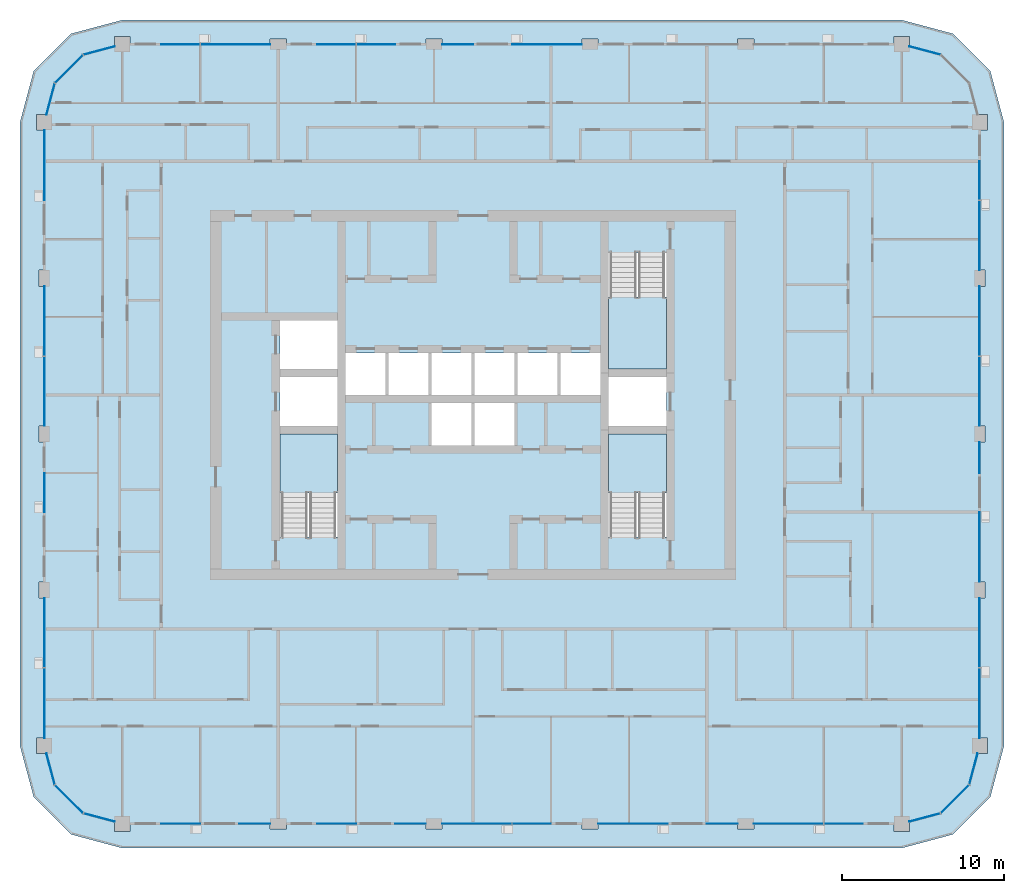
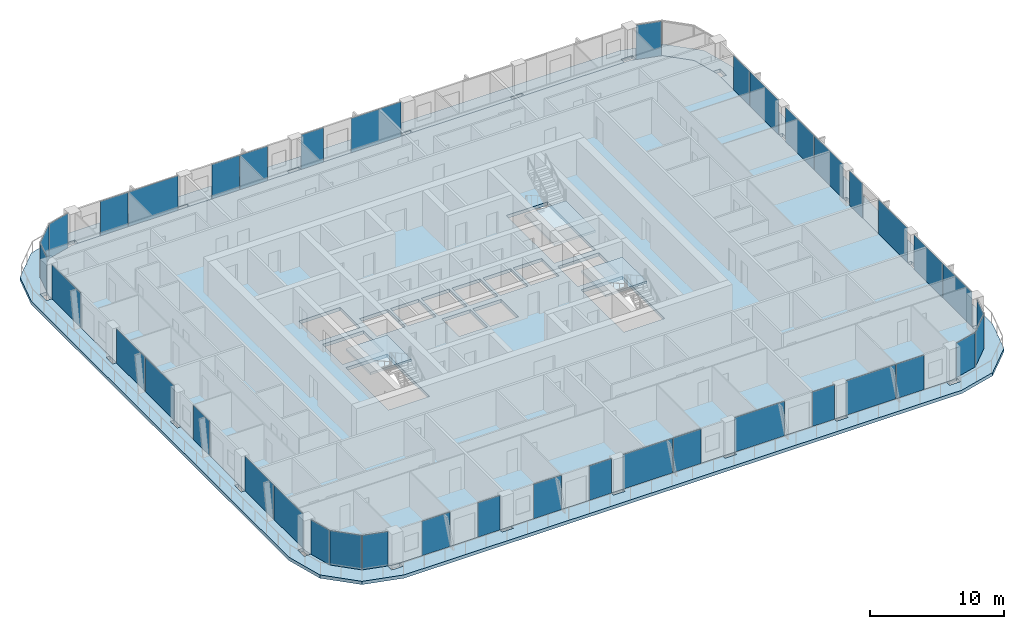
# One storey, part 7 of 22: 40 plates, 5 slabs, 23 elements without a shape of their own.
"""IFC4 building model written with IfcOpenShell, lengths in metres."""

from ifc_helpers import new_model, si_unit, direction, frame, origin, origin_2d, place, context, subcontext, project, spatial, polyline, rectangle, outline, extrude, material, layer, layer_set, type_object, element, aggregate, save


model = new_model("IFC4")

# Units and contexts
model_context = context("Model", 3, precision=1e-05, world=origin(), true_north=direction((0.0, 1.0)))
body_context = subcontext(model_context, "Body", "Model", "MODEL_VIEW")
ifc_project = project(units=[si_unit("LENGTHUNIT", "METRE"), si_unit("AREAUNIT", "SQUARE_METRE"), si_unit("VOLUMEUNIT", "CUBIC_METRE"), si_unit("PLANEANGLEUNIT", "RADIAN"), si_unit("MASSUNIT", "GRAM", prefix="KILO")], contexts=[model_context])

# Site, building, storey
site_placement = place(None, origin())
site = spatial("IfcSite", under=ifc_project, at=site_placement, CompositionType="ELEMENT")
building_placement = place(site_placement, origin())
building = spatial("IfcBuilding", under=site, at=building_placement, Name="Madar Terraces", CompositionType="ELEMENT")
storey_placement = place(building_placement, frame((0.0, 0.0, 189.39990234375)))
storey = spatial("IfcBuildingStorey", under=building, at=storey_placement, Name="L49", CompositionType="ELEMENT", Elevation=189.39990234375)

# Slabs
ifc_material_1 = material(Name="Concrete C50/60", Category="concrete")
ifc_layer_1 = layer(ifc_material_1, 0.300048828125)
ifc_layer_set_1 = layer_set([ifc_layer_1], Name="Balcony band 300")
slab_type_1 = type_object("IfcSlabType", Name="Balcony band 300", PredefinedType="FLOOR", material=ifc_layer_set_1)
slab_1_placement = place(storey_placement, frame((0.0, 0.0, -0.2998046875)))
element("IfcSlab", 1, at=slab_1_placement, inside=storey, type_object=slab_type_1, Name="Balcony band", PredefinedType="FLOOR", context=body_context, shape_type="SweptSolid", body=[
    extrude(outline(polyline([(9.60009765625, -1.5), (6.449951171875, -0.656005859375), (4.14404296875, 1.64990234375), (3.300048828125, 4.800048828125), (3.300048828125, 43.199951171875), (4.14404296875, 46.35009765625), (6.449951171875, 48.656005859375), (9.60009765625, 49.5), (57.60009765625, 49.5), (60.75, 48.656005859375), (63.055908203125, 46.35009765625), (63.89990234375, 43.199951171875), (63.89990234375, 4.800048828125), (63.055908203125, 1.64990234375), (60.75, -0.656005859375), (57.60009765625, -1.5), (9.60009765625, -1.5)]), holes=[polyline([(10.074951171875, -0.47509765625), (10.074951171875, 0.0), (18.699951171875, 0.0), (18.699951171875, -0.324951171875), (19.699951171875, -0.324951171875), (19.699951171875, 0.0), (28.300048828125, 0.0), (28.300048828125, -0.324951171875), (29.300048828125, -0.324951171875), (29.300048828125, 0.0), (37.89990234375, 0.0), (37.89990234375, -0.324951171875), (38.89990234375, -0.324951171875), (38.89990234375, 0.0), (47.5, 0.0), (47.5, -0.324951171875), (48.5, -0.324951171875), (48.5, 0.0), (57.125, 0.0), (57.125, -0.47509765625), (58.074951171875, -0.47509765625), (58.074951171875, 0.127197265625), (60.0, 0.64306640625), (61.7568359375, 2.39990234375), (62.272705078125, 4.324951171875), (62.875, 4.324951171875), (62.875, 5.27490234375), (62.39990234375, 5.27490234375), (62.39990234375, 13.89990234375), (62.72509765625, 13.89990234375), (62.72509765625, 14.89990234375), (62.39990234375, 14.89990234375), (62.39990234375, 23.5), (62.72509765625, 23.5), (62.72509765625, 24.5), (62.39990234375, 24.5), (62.39990234375, 33.10009765625), (62.72509765625, 33.10009765625), (62.72509765625, 34.10009765625), (62.39990234375, 34.10009765625), (62.39990234375, 42.72509765625), (62.875, 42.72509765625), (62.875, 43.675048828125), (62.272705078125, 43.675048828125), (61.7568359375, 45.60009765625), (60.0, 47.35693359375), (58.074951171875, 47.872802734375), (58.074951171875, 48.47509765625), (57.125, 48.47509765625), (57.125, 48.0), (48.5, 48.0), (48.5, 48.324951171875), (47.5, 48.324951171875), (47.5, 48.0), (38.89990234375, 48.0), (38.89990234375, 48.324951171875), (37.89990234375, 48.324951171875), (37.89990234375, 48.0), (29.300048828125, 48.0), (29.300048828125, 48.324951171875), (28.300048828125, 48.324951171875), (28.300048828125, 48.0), (19.699951171875, 48.0), (19.699951171875, 48.324951171875), (18.699951171875, 48.324951171875), (18.699951171875, 48.0), (10.074951171875, 48.0), (10.074951171875, 48.47509765625), (9.125, 48.47509765625), (9.125, 47.872802734375), (7.199951171875, 47.35693359375), (5.443115234375, 45.60009765625), (4.92724609375, 43.675048828125), (4.324951171875, 43.675048828125), (4.324951171875, 42.72509765625), (4.800048828125, 42.72509765625), (4.800048828125, 34.10009765625), (4.47509765625, 34.10009765625), (4.47509765625, 33.10009765625), (4.800048828125, 33.10009765625), (4.800048828125, 24.5), (4.47509765625, 24.5), (4.47509765625, 23.5), (4.800048828125, 23.5), (4.800048828125, 14.89990234375), (4.47509765625, 14.89990234375), (4.47509765625, 13.89990234375), (4.800048828125, 13.89990234375), (4.800048828125, 5.27490234375), (4.324951171875, 5.27490234375), (4.324951171875, 4.324951171875), (4.92724609375, 4.324951171875), (5.443115234375, 2.39990234375), (7.199951171875, 0.64306640625), (9.125, 0.127197265625), (9.125, -0.47509765625), (10.074951171875, -0.47509765625)])]), origin(), (0.0, 0.0, 1.0), 0.2998046875),
])
ifc_material_2 = material(Name="Concrete C50/60", Category="concrete")
ifc_layer_2 = layer(ifc_material_2, 0.300048828125)
ifc_layer_set_2 = layer_set([ifc_layer_2], Name="FS2 PT flat slab 300")
slab_type_2 = type_object("IfcSlabType", Name="FS2 PT flat slab 300", PredefinedType="FLOOR", material=ifc_layer_set_2)
slab_2_placement = place(storey_placement, frame((0.0, 0.0, -0.2998046875)))
element("IfcSlab", 2, at=slab_2_placement, inside=storey, type_object=slab_type_2, Name="Floor slab L49 (1)", PredefinedType="FLOOR", context=body_context, shape_type="SweptSolid", body=[
    extrude(outline(polyline([(57.60009765625, 0.0), (60.0, 0.64306640625), (61.7568359375, 2.39990234375), (62.39990234375, 4.800048828125), (62.39990234375, 43.199951171875), (61.7568359375, 45.60009765625), (60.0, 47.35693359375), (57.60009765625, 48.0), (9.60009765625, 48.0), (7.199951171875, 47.35693359375), (5.443115234375, 45.60009765625), (4.800048828125, 43.199951171875), (4.800048828125, 4.800048828125), (5.443115234375, 2.39990234375), (7.199951171875, 0.64306640625), (9.60009765625, 0.0), (57.60009765625, 0.0)]), holes=[polyline([(22.85009765625, 17.64990234375), (19.300048828125, 17.64990234375), (19.300048828125, 24.0), (22.85009765625, 24.0), (22.85009765625, 17.64990234375)]), polyline([(28.64990234375, 23.300048828125), (28.64990234375, 25.89990234375), (31.10009765625, 25.89990234375), (31.10009765625, 23.300048828125), (28.64990234375, 23.300048828125)]), polyline([(19.300048828125, 24.5), (19.300048828125, 27.5), (22.85009765625, 27.5), (22.85009765625, 24.5), (19.300048828125, 24.5)]), polyline([(23.35009765625, 26.39990234375), (23.35009765625, 29.0), (25.800048828125, 29.0), (25.800048828125, 26.39990234375), (23.35009765625, 26.39990234375)]), polyline([(26.0, 26.39990234375), (26.0, 29.0), (28.449951171875, 29.0), (28.449951171875, 26.39990234375), (26.0, 26.39990234375)]), polyline([(28.64990234375, 26.39990234375), (28.64990234375, 29.0), (31.10009765625, 29.0), (31.10009765625, 26.39990234375), (28.64990234375, 26.39990234375)]), polyline([(19.300048828125, 28.0), (19.300048828125, 31.0), (22.85009765625, 31.0), (22.85009765625, 28.0), (19.300048828125, 28.0)]), polyline([(43.10009765625, 17.64990234375), (39.550048828125, 17.64990234375), (39.550048828125, 24.0), (43.10009765625, 24.0), (43.10009765625, 17.64990234375)]), polyline([(31.300048828125, 23.300048828125), (31.300048828125, 25.89990234375), (33.75, 25.89990234375), (33.75, 23.300048828125), (31.300048828125, 23.300048828125)]), polyline([(39.550048828125, 24.5), (39.550048828125, 27.5), (43.10009765625, 27.5), (43.10009765625, 24.5), (39.550048828125, 24.5)]), polyline([(31.300048828125, 26.39990234375), (31.300048828125, 29.0), (33.75, 29.0), (33.75, 26.39990234375), (31.300048828125, 26.39990234375)]), polyline([(33.949951171875, 26.39990234375), (33.949951171875, 29.0), (36.39990234375, 29.0), (36.39990234375, 26.39990234375), (33.949951171875, 26.39990234375)]), polyline([(36.60009765625, 26.39990234375), (36.60009765625, 29.0), (39.050048828125, 29.0), (39.050048828125, 26.39990234375), (36.60009765625, 26.39990234375)]), polyline([(39.550048828125, 28.0), (39.550048828125, 35.14990234375), (43.10009765625, 35.14990234375), (43.10009765625, 28.0), (39.550048828125, 28.0)])]), origin(), (0.0, 0.0, 1.0), 0.2998046875),
])

# Curtain wall, plates
ifc_material_3 = material(Name="Glass, ceramic frit dark grey, with black aluminium frame", Category="aluminium")
ifc_layer_3 = layer(ifc_material_3, 0.199951171875)
ifc_layer_set_3 = layer_set([ifc_layer_3], Name="Facade curtain wall, fritted glass")
curtain_wall_type = type_object("IfcCurtainWallType", Name="Facade curtain wall, fritted glass", PredefinedType="NOTDEFINED", material=ifc_layer_set_3)
curtain_wall_1_placement = place(storey_placement, origin())
curtain_wall_1 = element("IfcCurtainWall", 3, at=curtain_wall_1_placement, inside=storey, type_object=curtain_wall_type, Name="Outer skin curtain wall south bay 1", PredefinedType="NOTDEFINED")
ifc_material_4 = material(Name="Glass, ceramic frit dark grey", Category="glass")
ifc_layer_4 = layer(ifc_material_4, 0.028076171875)
ifc_layer_set_4 = layer_set([ifc_layer_4], Name="Facade glass panel 28")
plate_type = type_object("IfcPlateType", Name="Facade glass panel 28", PredefinedType="CURTAIN_PANEL", material=ifc_layer_set_4)
plate_1_placement = place(storey_placement, frame((13.199951171875, 0.0, 0.0), z_axis=(0.0, 0.0, 1.0), x_axis=(1.0, 0.0, 0.0)))
plate_1 = element("IfcPlate", 4, at=plate_1_placement, type_object=plate_type, Name="Panel 1", PredefinedType="CURTAIN_PANEL", context=body_context, shape_type="SweptSolid", body=[
    extrude(rectangle(XDim=2.39990234375, YDim=0.028076171875, at=origin_2d()), origin(), (0.0, 0.0, 1.0), 3.139892578125),
])
plate_2_placement = place(storey_placement, frame((17.75, 0.0, 0.0), z_axis=(0.0, 0.0, 1.0), x_axis=(1.0, 0.0, 0.0)))
plate_2 = element("IfcPlate", 5, at=plate_2_placement, type_object=plate_type, Name="Panel 2", PredefinedType="CURTAIN_PANEL", context=body_context, shape_type="SweptSolid", body=[
    extrude(rectangle(XDim=1.89990234375, YDim=0.028076171875, at=origin_2d()), origin(), (0.0, 0.0, 1.0), 3.139892578125),
])
aggregate(curtain_wall_1, [plate_1, plate_2])

curtain_wall_2_placement = place(storey_placement, origin())
curtain_wall_2 = element("IfcCurtainWall", 6, at=curtain_wall_2_placement, inside=storey, type_object=curtain_wall_type, Name="Outer skin curtain wall south bay 2", PredefinedType="NOTDEFINED")
plate_3_placement = place(storey_placement, frame((22.800048828125, 0.0, 0.0), z_axis=(0.0, 0.0, 1.0), x_axis=(1.0, 0.0, 0.0)))
plate_3 = element("IfcPlate", 7, at=plate_3_placement, type_object=plate_type, Name="Panel 1", PredefinedType="CURTAIN_PANEL", context=body_context, shape_type="SweptSolid", body=[
    extrude(rectangle(XDim=2.39990234375, YDim=0.028076171875, at=origin_2d()), origin(), (0.0, 0.0, 1.0), 3.139892578125),
])
plate_4_placement = place(storey_placement, frame((27.35009765625, 0.0, 0.0), z_axis=(0.0, 0.0, 1.0), x_axis=(1.0, 0.0, 0.0)))
plate_4 = element("IfcPlate", 8, at=plate_4_placement, type_object=plate_type, Name="Panel 2", PredefinedType="CURTAIN_PANEL", context=body_context, shape_type="SweptSolid", body=[
    extrude(rectangle(XDim=1.89990234375, YDim=0.028076171875, at=origin_2d()), origin(), (0.0, 0.0, 1.0), 3.139892578125),
])
aggregate(curtain_wall_2, [plate_3, plate_4])

curtain_wall_3_placement = place(storey_placement, origin())
curtain_wall_3 = element("IfcCurtainWall", 9, at=curtain_wall_3_placement, inside=storey, type_object=curtain_wall_type, Name="Outer skin curtain wall south bay 3", PredefinedType="NOTDEFINED")
plate_5_placement = place(storey_placement, frame((31.43505859375, 0.0, 0.0), z_axis=(0.0, 0.0, 1.0), x_axis=(1.0, 0.0, 0.0)))
plate_5 = element("IfcPlate", 10, at=plate_5_placement, type_object=plate_type, Name="Panel 1", PredefinedType="CURTAIN_PANEL", context=body_context, shape_type="SweptSolid", body=[
    extrude(rectangle(XDim=4.27001953125, YDim=0.028076171875, at=origin_2d()), origin(), (0.0, 0.0, 1.0), 3.139892578125),
])
plate_6_placement = place(storey_placement, frame((34.81494140625, 0.0, 0.0), z_axis=(0.0, 0.0, 1.0), x_axis=(1.0, 0.0, 0.0)))
plate_6 = element("IfcPlate", 11, at=plate_6_placement, type_object=plate_type, Name="Panel 2", PredefinedType="CURTAIN_PANEL", context=body_context, shape_type="SweptSolid", body=[
    extrude(rectangle(XDim=2.3701171875, YDim=0.028076171875, at=origin_2d()), origin(), (0.0, 0.0, 1.0), 3.139892578125),
])
aggregate(curtain_wall_3, [plate_5, plate_6])

curtain_wall_4_placement = place(storey_placement, origin())
curtain_wall_4 = element("IfcCurtainWall", 12, at=curtain_wall_4_placement, inside=storey, type_object=curtain_wall_type, Name="Outer skin curtain wall south bay 4", PredefinedType="NOTDEFINED")
plate_7_placement = place(storey_placement, frame((41.050048828125, 0.0, 0.0), z_axis=(0.0, 0.0, 1.0), x_axis=(1.0, 0.0, 0.0)))
plate_7 = element("IfcPlate", 13, at=plate_7_placement, type_object=plate_type, Name="Panel 1", PredefinedType="CURTAIN_PANEL", context=body_context, shape_type="SweptSolid", body=[
    extrude(rectangle(XDim=4.300048828125, YDim=0.028076171875, at=origin_2d()), origin(), (0.0, 0.0, 1.0), 3.139892578125),
])
plate_8_placement = place(storey_placement, frame((46.550048828125, 0.0, 0.0), z_axis=(0.0, 0.0, 1.0), x_axis=(1.0, 0.0, 0.0)))
plate_8 = element("IfcPlate", 14, at=plate_8_placement, type_object=plate_type, Name="Panel 2", PredefinedType="CURTAIN_PANEL", context=body_context, shape_type="SweptSolid", body=[
    extrude(rectangle(XDim=1.89990234375, YDim=0.028076171875, at=origin_2d()), origin(), (0.0, 0.0, 1.0), 3.139892578125),
])
aggregate(curtain_wall_4, [plate_7, plate_8])

curtain_wall_5_placement = place(storey_placement, origin())
curtain_wall_5 = element("IfcCurtainWall", 15, at=curtain_wall_5_placement, inside=storey, type_object=curtain_wall_type, Name="Outer skin curtain wall south bay 5", PredefinedType="NOTDEFINED")
plate_9_placement = place(storey_placement, frame((50.635009765625, 0.0, 0.0), z_axis=(0.0, 0.0, 1.0), x_axis=(1.0, 0.0, 0.0)))
plate_9 = element("IfcPlate", 16, at=plate_9_placement, type_object=plate_type, Name="Panel 1", PredefinedType="CURTAIN_PANEL", context=body_context, shape_type="SweptSolid", body=[
    extrude(rectangle(XDim=4.27001953125, YDim=0.028076171875, at=origin_2d()), origin(), (0.0, 0.0, 1.0), 3.139892578125),
])
plate_10_placement = place(storey_placement, frame((54.014892578125, 0.0, 0.0), z_axis=(0.0, 0.0, 1.0), x_axis=(1.0, 0.0, 0.0)))
plate_10 = element("IfcPlate", 17, at=plate_10_placement, type_object=plate_type, Name="Panel 2", PredefinedType="CURTAIN_PANEL", context=body_context, shape_type="SweptSolid", body=[
    extrude(rectangle(XDim=2.3701171875, YDim=0.028076171875, at=origin_2d()), origin(), (0.0, 0.0, 1.0), 3.139892578125),
])
aggregate(curtain_wall_5, [plate_9, plate_10])

curtain_wall_6_placement = place(storey_placement, origin())
curtain_wall_6 = element("IfcCurtainWall", 18, at=curtain_wall_6_placement, inside=storey, type_object=curtain_wall_type, Name="Outer skin curtain wall east bay 1", PredefinedType="NOTDEFINED")
plate_11_placement = place(storey_placement, frame((62.39990234375, 7.422607421875, 0.0), z_axis=(0.0, 0.0, 1.0), x_axis=(0.0, 1.0, 0.0)))
plate_11 = element("IfcPlate", 19, at=plate_11_placement, type_object=plate_type, Name="Panel 1", PredefinedType="CURTAIN_PANEL", context=body_context, shape_type="SweptSolid", body=[
    extrude(rectangle(XDim=4.294921875, YDim=0.028076171875, at=origin_2d()), origin(), (0.0, 0.0, 1.0), 3.139892578125),
])
plate_12_placement = place(storey_placement, frame((62.39990234375, 11.764892578125, 0.0), z_axis=(0.0, 0.0, 1.0), x_axis=(0.0, 1.0, 0.0)))
plate_12 = element("IfcPlate", 20, at=plate_12_placement, type_object=plate_type, Name="Panel 2", PredefinedType="CURTAIN_PANEL", context=body_context, shape_type="SweptSolid", body=[
    extrude(rectangle(XDim=4.27001953125, YDim=0.028076171875, at=origin_2d()), origin(), (0.0, 0.0, 1.0), 3.139892578125),
])
aggregate(curtain_wall_6, [plate_11, plate_12])

curtain_wall_7_placement = place(storey_placement, origin())
curtain_wall_7 = element("IfcCurtainWall", 21, at=curtain_wall_7_placement, inside=storey, type_object=curtain_wall_type, Name="Outer skin curtain wall east bay 2", PredefinedType="NOTDEFINED")
plate_13_placement = place(storey_placement, frame((62.39990234375, 17.050048828125, 0.0), z_axis=(0.0, 0.0, 1.0), x_axis=(0.0, 1.0, 0.0)))
plate_13 = element("IfcPlate", 22, at=plate_13_placement, type_object=plate_type, Name="Panel 1", PredefinedType="CURTAIN_PANEL", context=body_context, shape_type="SweptSolid", body=[
    extrude(rectangle(XDim=4.300048828125, YDim=0.028076171875, at=origin_2d()), origin(), (0.0, 0.0, 1.0), 3.139892578125),
])
plate_14_placement = place(storey_placement, frame((62.39990234375, 22.550048828125, 0.0), z_axis=(0.0, 0.0, 1.0), x_axis=(0.0, 1.0, 0.0)))
plate_14 = element("IfcPlate", 23, at=plate_14_placement, type_object=plate_type, Name="Panel 2", PredefinedType="CURTAIN_PANEL", context=body_context, shape_type="SweptSolid", body=[
    extrude(rectangle(XDim=1.89990234375, YDim=0.028076171875, at=origin_2d()), origin(), (0.0, 0.0, 1.0), 3.139892578125),
])
aggregate(curtain_wall_7, [plate_13, plate_14])

curtain_wall_8_placement = place(storey_placement, origin())
curtain_wall_8 = element("IfcCurtainWall", 24, at=curtain_wall_8_placement, inside=storey, type_object=curtain_wall_type, Name="Outer skin curtain wall east bay 3", PredefinedType="NOTDEFINED")
plate_15_placement = place(storey_placement, frame((62.39990234375, 26.635009765625, 0.0), z_axis=(0.0, 0.0, 1.0), x_axis=(0.0, 1.0, 0.0)))
plate_15 = element("IfcPlate", 25, at=plate_15_placement, type_object=plate_type, Name="Panel 1", PredefinedType="CURTAIN_PANEL", context=body_context, shape_type="SweptSolid", body=[
    extrude(rectangle(XDim=4.27001953125, YDim=0.028076171875, at=origin_2d()), origin(), (0.0, 0.0, 1.0), 3.139892578125),
])
plate_16_placement = place(storey_placement, frame((62.39990234375, 30.965087890625, 0.0), z_axis=(0.0, 0.0, 1.0), x_axis=(0.0, 1.0, 0.0)))
plate_16 = element("IfcPlate", 26, at=plate_16_placement, type_object=plate_type, Name="Panel 2", PredefinedType="CURTAIN_PANEL", context=body_context, shape_type="SweptSolid", body=[
    extrude(rectangle(XDim=4.27001953125, YDim=0.028076171875, at=origin_2d()), origin(), (0.0, 0.0, 1.0), 3.139892578125),
])
aggregate(curtain_wall_8, [plate_15, plate_16])

curtain_wall_9_placement = place(storey_placement, origin())
curtain_wall_9 = element("IfcCurtainWall", 27, at=curtain_wall_9_placement, inside=storey, type_object=curtain_wall_type, Name="Outer skin curtain wall east bay 4", PredefinedType="NOTDEFINED")
plate_17_placement = place(storey_placement, frame((62.39990234375, 36.235107421875, 0.0), z_axis=(0.0, 0.0, 1.0), x_axis=(0.0, 1.0, 0.0)))
plate_17 = element("IfcPlate", 28, at=plate_17_placement, type_object=plate_type, Name="Panel 1", PredefinedType="CURTAIN_PANEL", context=body_context, shape_type="SweptSolid", body=[
    extrude(rectangle(XDim=4.27001953125, YDim=0.028076171875, at=origin_2d()), origin(), (0.0, 0.0, 1.0), 3.139892578125),
])
plate_18_placement = place(storey_placement, frame((62.39990234375, 39.614990234375, 0.0), z_axis=(0.0, 0.0, 1.0), x_axis=(0.0, 1.0, 0.0)))
plate_18 = element("IfcPlate", 29, at=plate_18_placement, type_object=plate_type, Name="Panel 2", PredefinedType="CURTAIN_PANEL", context=body_context, shape_type="SweptSolid", body=[
    extrude(rectangle(XDim=2.3701171875, YDim=0.028076171875, at=origin_2d()), origin(), (0.0, 0.0, 1.0), 3.139892578125),
])
aggregate(curtain_wall_9, [plate_17, plate_18])

curtain_wall_10_placement = place(storey_placement, origin())
curtain_wall_10 = element("IfcCurtainWall", 30, at=curtain_wall_10_placement, inside=storey, type_object=curtain_wall_type, Name="Outer skin curtain wall north bay 3", PredefinedType="NOTDEFINED")
plate_19_placement = place(storey_placement, frame((35.75, 48.0, 0.0), z_axis=(0.0, 0.0, 1.0), x_axis=(-1.0, 0.0, 0.0)))
plate_19 = element("IfcPlate", 31, at=plate_19_placement, type_object=plate_type, Name="Panel 1", PredefinedType="CURTAIN_PANEL", context=body_context, shape_type="SweptSolid", body=[
    extrude(rectangle(XDim=4.300048828125, YDim=0.028076171875, at=origin_2d()), origin(), (0.0, 0.0, 1.0), 3.139892578125),
])
plate_20_placement = place(storey_placement, frame((30.25, 48.0, 0.0), z_axis=(0.0, 0.0, 1.0), x_axis=(-1.0, 0.0, 0.0)))
plate_20 = element("IfcPlate", 32, at=plate_20_placement, type_object=plate_type, Name="Panel 2", PredefinedType="CURTAIN_PANEL", context=body_context, shape_type="SweptSolid", body=[
    extrude(rectangle(XDim=1.89990234375, YDim=0.028076171875, at=origin_2d()), origin(), (0.0, 0.0, 1.0), 3.139892578125),
])
aggregate(curtain_wall_10, [plate_19, plate_20])

curtain_wall_11_placement = place(storey_placement, origin())
curtain_wall_11 = element("IfcCurtainWall", 33, at=curtain_wall_11_placement, inside=storey, type_object=curtain_wall_type, Name="Outer skin curtain wall north bay 4", PredefinedType="NOTDEFINED")
plate_21_placement = place(storey_placement, frame((25.215087890625, 48.0, 0.0), z_axis=(0.0, 0.0, 1.0), x_axis=(-1.0, 0.0, 0.0)))
plate_21 = element("IfcPlate", 34, at=plate_21_placement, type_object=plate_type, Name="Panel 1", PredefinedType="CURTAIN_PANEL", context=body_context, shape_type="SweptSolid", body=[
    extrude(rectangle(XDim=2.3701171875, YDim=0.028076171875, at=origin_2d()), origin(), (0.0, 0.0, 1.0), 3.139892578125),
])
plate_22_placement = place(storey_placement, frame((22.784912109375, 48.0, 0.0), z_axis=(0.0, 0.0, 1.0), x_axis=(-1.0, 0.0, 0.0)))
plate_22 = element("IfcPlate", 35, at=plate_22_placement, type_object=plate_type, Name="Panel 2", PredefinedType="CURTAIN_PANEL", context=body_context, shape_type="SweptSolid", body=[
    extrude(rectangle(XDim=2.3701171875, YDim=0.028076171875, at=origin_2d()), origin(), (0.0, 0.0, 1.0), 3.139892578125),
])
aggregate(curtain_wall_11, [plate_21, plate_22])

curtain_wall_12_placement = place(storey_placement, origin())
curtain_wall_12 = element("IfcCurtainWall", 36, at=curtain_wall_12_placement, inside=storey, type_object=curtain_wall_type, Name="Outer skin curtain wall north bay 5", PredefinedType="NOTDEFINED")
plate_23_placement = place(storey_placement, frame((16.56494140625, 48.0, 0.0), z_axis=(0.0, 0.0, 1.0), x_axis=(-1.0, 0.0, 0.0)))
plate_23 = element("IfcPlate", 37, at=plate_23_placement, type_object=plate_type, Name="Panel 1", PredefinedType="CURTAIN_PANEL", context=body_context, shape_type="SweptSolid", body=[
    extrude(rectangle(XDim=4.27001953125, YDim=0.028076171875, at=origin_2d()), origin(), (0.0, 0.0, 1.0), 3.139892578125),
])
plate_24_placement = place(storey_placement, frame((13.18505859375, 48.0, 0.0), z_axis=(0.0, 0.0, 1.0), x_axis=(-1.0, 0.0, 0.0)))
plate_24 = element("IfcPlate", 38, at=plate_24_placement, type_object=plate_type, Name="Panel 2", PredefinedType="CURTAIN_PANEL", context=body_context, shape_type="SweptSolid", body=[
    extrude(rectangle(XDim=2.3701171875, YDim=0.028076171875, at=origin_2d()), origin(), (0.0, 0.0, 1.0), 3.139892578125),
])
aggregate(curtain_wall_12, [plate_23, plate_24])

# Curtain wall, plate
curtain_wall_13_placement = place(storey_placement, origin())
curtain_wall_13 = element("IfcCurtainWall", 39, at=curtain_wall_13_placement, inside=storey, type_object=curtain_wall_type, Name="Outer skin curtain wall west bay 1", PredefinedType="NOTDEFINED")
plate_25_placement = place(storey_placement, frame((4.800048828125, 40.5625, 0.0), z_axis=(0.0, 0.0, 1.0), x_axis=(0.0, -1.0, 0.0)))
plate_25 = element("IfcPlate", 40, at=plate_25_placement, type_object=plate_type, Name="Panel 1", PredefinedType="CURTAIN_PANEL", context=body_context, shape_type="SweptSolid", body=[
    extrude(rectangle(XDim=4.324951171875, YDim=0.028076171875, at=origin_2d()), origin(), (0.0, 0.0, 1.0), 3.139892578125),
])
aggregate(curtain_wall_13, [plate_25])

# Curtain wall, plates
curtain_wall_14_placement = place(storey_placement, origin())
curtain_wall_14 = element("IfcCurtainWall", 41, at=curtain_wall_14_placement, inside=storey, type_object=curtain_wall_type, Name="Outer skin curtain wall west bay 2", PredefinedType="NOTDEFINED")
plate_26_placement = place(storey_placement, frame((4.800048828125, 30.965087890625, 0.0), z_axis=(0.0, 0.0, 1.0), x_axis=(0.0, -1.0, 0.0)))
plate_26 = element("IfcPlate", 42, at=plate_26_placement, type_object=plate_type, Name="Panel 1", PredefinedType="CURTAIN_PANEL", context=body_context, shape_type="SweptSolid", body=[
    extrude(rectangle(XDim=4.27001953125, YDim=0.028076171875, at=origin_2d()), origin(), (0.0, 0.0, 1.0), 3.139892578125),
])
plate_27_placement = place(storey_placement, frame((4.800048828125, 26.635009765625, 0.0), z_axis=(0.0, 0.0, 1.0), x_axis=(0.0, -1.0, 0.0)))
plate_27 = element("IfcPlate", 43, at=plate_27_placement, type_object=plate_type, Name="Panel 2", PredefinedType="CURTAIN_PANEL", context=body_context, shape_type="SweptSolid", body=[
    extrude(rectangle(XDim=4.27001953125, YDim=0.028076171875, at=origin_2d()), origin(), (0.0, 0.0, 1.0), 3.139892578125),
])
aggregate(curtain_wall_14, [plate_26, plate_27])

# Curtain wall, plate
curtain_wall_15_placement = place(storey_placement, origin())
curtain_wall_15 = element("IfcCurtainWall", 44, at=curtain_wall_15_placement, inside=storey, type_object=curtain_wall_type, Name="Outer skin curtain wall west bay 3", PredefinedType="NOTDEFINED")
plate_28_placement = place(storey_placement, frame((4.800048828125, 20.39990234375, 0.0), z_axis=(0.0, 0.0, 1.0), x_axis=(0.0, -1.0, 0.0)))
plate_28 = element("IfcPlate", 45, at=plate_28_placement, type_object=plate_type, Name="Panel 1", PredefinedType="CURTAIN_PANEL", context=body_context, shape_type="SweptSolid", body=[
    extrude(rectangle(XDim=2.39990234375, YDim=0.028076171875, at=origin_2d()), origin(), (0.0, 0.0, 1.0), 3.139892578125),
])
aggregate(curtain_wall_15, [plate_28])

# Curtain wall, plates
curtain_wall_16_placement = place(storey_placement, origin())
curtain_wall_16 = element("IfcCurtainWall", 46, at=curtain_wall_16_placement, inside=storey, type_object=curtain_wall_type, Name="Outer skin curtain wall west bay 4", PredefinedType="NOTDEFINED")
plate_29_placement = place(storey_placement, frame((4.800048828125, 11.764892578125, 0.0), z_axis=(0.0, 0.0, 1.0), x_axis=(0.0, -1.0, 0.0)))
plate_29 = element("IfcPlate", 47, at=plate_29_placement, type_object=plate_type, Name="Panel 1", PredefinedType="CURTAIN_PANEL", context=body_context, shape_type="SweptSolid", body=[
    extrude(rectangle(XDim=4.27001953125, YDim=0.028076171875, at=origin_2d()), origin(), (0.0, 0.0, 1.0), 3.139892578125),
])
plate_30_placement = place(storey_placement, frame((4.800048828125, 7.422607421875, 0.0), z_axis=(0.0, 0.0, 1.0), x_axis=(0.0, -1.0, 0.0)))
plate_30 = element("IfcPlate", 48, at=plate_30_placement, type_object=plate_type, Name="Panel 2", PredefinedType="CURTAIN_PANEL", context=body_context, shape_type="SweptSolid", body=[
    extrude(rectangle(XDim=4.294921875, YDim=0.028076171875, at=origin_2d()), origin(), (0.0, 0.0, 1.0), 3.139892578125),
])
aggregate(curtain_wall_16, [plate_29, plate_30])

curtain_wall_17_placement = place(storey_placement, origin())
curtain_wall_17 = element("IfcCurtainWall", 49, at=curtain_wall_17_placement, inside=storey, type_object=curtain_wall_type, Name="Outer skin curtain wall south-east corner", PredefinedType="NOTDEFINED")
plate_31_placement = place(storey_placement, frame((59.02294921875, 0.38134765625, 0.0), z_axis=(0.0, 0.0, 1.0), x_axis=(0.965925832509, 0.258819021888, 0.0)))
plate_31 = element("IfcPlate", 50, at=plate_31_placement, type_object=plate_type, Name="Panel 1", PredefinedType="CURTAIN_PANEL", context=body_context, shape_type="SweptSolid", body=[
    extrude(rectangle(XDim=1.962890625, YDim=0.028076171875, at=origin_2d()), origin(), (0.0, 0.0, 1.0), 3.139892578125),
])
plate_32_placement = place(storey_placement, frame((60.87841796875, 1.521484375, 0.0), z_axis=(0.0, 0.0, 1.0), x_axis=(0.707106781187, 0.707106781187, 0.0)))
plate_32 = element("IfcPlate", 51, at=plate_32_placement, type_object=plate_type, Name="Panel 2", PredefinedType="CURTAIN_PANEL", context=body_context, shape_type="SweptSolid", body=[
    extrude(rectangle(XDim=2.424560546875, YDim=0.028076171875, at=origin_2d()), origin(), (0.0, 0.0, 1.0), 3.139892578125),
])
plate_33_placement = place(storey_placement, frame((62.018798828125, 3.376953125, 0.0), z_axis=(0.0, 0.0, 1.0), x_axis=(0.258819021888, 0.965925832509, 0.0)))
plate_33 = element("IfcPlate", 52, at=plate_33_placement, type_object=plate_type, Name="Panel 3", PredefinedType="CURTAIN_PANEL", context=body_context, shape_type="SweptSolid", body=[
    extrude(rectangle(XDim=1.962890625, YDim=0.028076171875, at=origin_2d()), origin(), (0.0, 0.0, 1.0), 3.139892578125),
])
aggregate(curtain_wall_17, [plate_31, plate_32, plate_33])

# Curtain wall, plate
curtain_wall_18_placement = place(storey_placement, origin())
curtain_wall_18 = element("IfcCurtainWall", 53, at=curtain_wall_18_placement, inside=storey, type_object=curtain_wall_type, Name="Outer skin curtain wall north-east corner", PredefinedType="NOTDEFINED")
plate_34_placement = place(storey_placement, frame((59.02294921875, 47.61865234375, 0.0), z_axis=(0.0, 0.0, 1.0), x_axis=(-0.965925832509, 0.258819021888, 0.0)))
plate_34 = element("IfcPlate", 54, at=plate_34_placement, type_object=plate_type, Name="Panel 3", PredefinedType="CURTAIN_PANEL", context=body_context, shape_type="SweptSolid", body=[
    extrude(rectangle(XDim=1.962890625, YDim=0.028076171875, at=origin_2d()), origin(), (0.0, 0.0, 1.0), 3.139892578125),
])
aggregate(curtain_wall_18, [plate_34])

# Curtain wall, plates
curtain_wall_19_placement = place(storey_placement, origin())
curtain_wall_19 = element("IfcCurtainWall", 55, at=curtain_wall_19_placement, inside=storey, type_object=curtain_wall_type, Name="Outer skin curtain wall north-west corner", PredefinedType="NOTDEFINED")
plate_35_placement = place(storey_placement, frame((8.177001953125, 47.61865234375, 0.0), z_axis=(0.0, 0.0, 1.0), x_axis=(-0.965925832509, -0.258819021888, 0.0)))
plate_35 = element("IfcPlate", 56, at=plate_35_placement, type_object=plate_type, Name="Panel 1", PredefinedType="CURTAIN_PANEL", context=body_context, shape_type="SweptSolid", body=[
    extrude(rectangle(XDim=1.962890625, YDim=0.028076171875, at=origin_2d()), origin(), (0.0, 0.0, 1.0), 3.139892578125),
])
plate_36_placement = place(storey_placement, frame((6.321533203125, 46.478515625, 0.0), z_axis=(0.0, 0.0, 1.0), x_axis=(-0.707106781187, -0.707106781187, 0.0)))
plate_36 = element("IfcPlate", 57, at=plate_36_placement, type_object=plate_type, Name="Panel 2", PredefinedType="CURTAIN_PANEL", context=body_context, shape_type="SweptSolid", body=[
    extrude(rectangle(XDim=2.424560546875, YDim=0.028076171875, at=origin_2d()), origin(), (0.0, 0.0, 1.0), 3.139892578125),
])
plate_37_placement = place(storey_placement, frame((5.181396484375, 44.623046875, 0.0), z_axis=(0.0, 0.0, 1.0), x_axis=(-0.258819021888, -0.965925832509, 0.0)))
plate_37 = element("IfcPlate", 58, at=plate_37_placement, type_object=plate_type, Name="Panel 3", PredefinedType="CURTAIN_PANEL", context=body_context, shape_type="SweptSolid", body=[
    extrude(rectangle(XDim=1.962890625, YDim=0.028076171875, at=origin_2d()), origin(), (0.0, 0.0, 1.0), 3.139892578125),
])
aggregate(curtain_wall_19, [plate_35, plate_36, plate_37])

curtain_wall_20_placement = place(storey_placement, origin())
curtain_wall_20 = element("IfcCurtainWall", 59, at=curtain_wall_20_placement, inside=storey, type_object=curtain_wall_type, Name="Outer skin curtain wall south-west corner", PredefinedType="NOTDEFINED")
plate_38_placement = place(storey_placement, frame((5.181396484375, 3.376953125, 0.0), z_axis=(0.0, 0.0, 1.0), x_axis=(0.258819021888, -0.965925832509, 0.0)))
plate_38 = element("IfcPlate", 60, at=plate_38_placement, type_object=plate_type, Name="Panel 1", PredefinedType="CURTAIN_PANEL", context=body_context, shape_type="SweptSolid", body=[
    extrude(rectangle(XDim=1.962890625, YDim=0.028076171875, at=origin_2d()), origin(), (0.0, 0.0, 1.0), 3.139892578125),
])
plate_39_placement = place(storey_placement, frame((6.321533203125, 1.521484375, 0.0), z_axis=(0.0, 0.0, 1.0), x_axis=(0.707106781187, -0.707106781187, 0.0)))
plate_39 = element("IfcPlate", 61, at=plate_39_placement, type_object=plate_type, Name="Panel 2", PredefinedType="CURTAIN_PANEL", context=body_context, shape_type="SweptSolid", body=[
    extrude(rectangle(XDim=2.424560546875, YDim=0.028076171875, at=origin_2d()), origin(), (0.0, 0.0, 1.0), 3.139892578125),
])
plate_40_placement = place(storey_placement, frame((8.177001953125, 0.38134765625, 0.0), z_axis=(0.0, 0.0, 1.0), x_axis=(0.965925832509, -0.258819021888, 0.0)))
plate_40 = element("IfcPlate", 62, at=plate_40_placement, type_object=plate_type, Name="Panel 3", PredefinedType="CURTAIN_PANEL", context=body_context, shape_type="SweptSolid", body=[
    extrude(rectangle(XDim=1.962890625, YDim=0.028076171875, at=origin_2d()), origin(), (0.0, 0.0, 1.0), 3.139892578125),
])
aggregate(curtain_wall_20, [plate_38, plate_39, plate_40])

# Stair, slab
ifc_material_5 = material(Name="Concrete C50/60", Category="concrete")
stair_type_1 = type_object("IfcStairType", Name="Stair ST1 protected exit", PredefinedType="HALF_TURN_STAIR", material=ifc_material_5)
stair_1_placement = place(storey_placement, origin())
stair_1 = element("IfcStair", 63, at=stair_1_placement, inside=storey, type_object=stair_type_1, Name="L49 Protected Exit Stair ST1", PredefinedType="HALF_TURN_STAIR")
ifc_material_6 = material(Name="Concrete C50/60", Category="concrete")
ifc_layer_5 = layer(ifc_material_6, 0.199951171875)
ifc_layer_set_5 = layer_set([ifc_layer_5], Name="Stair landing 200, top +1.75")
slab_type_3 = type_object("IfcSlabType", Name="Stair landing 200, top +1.75", PredefinedType="LANDING", material=ifc_layer_set_5)
slab_3_placement = place(storey_placement, frame((0.0, 0.0, 1.550048828125)))
slab_3 = element("IfcSlab", 64, at=slab_3_placement, type_object=slab_type_3, Name="ST1 landing 1", PredefinedType="LANDING", context=body_context, shape_type="SweptSolid", body=[
    extrude(outline(polyline([(19.300048828125, 20.360107421875), (22.85009765625, 20.360107421875), (22.85009765625, 24.0), (19.300048828125, 24.0), (19.300048828125, 20.360107421875)])), origin(), (0.0, 0.0, 1.0), 0.199951171875),
])
aggregate(stair_1, [slab_3])

ifc_material_7 = material(Name="Concrete C50/60", Category="concrete")
stair_type_2 = type_object("IfcStairType", Name="Stair ST2 protected exit", PredefinedType="HALF_TURN_STAIR", material=ifc_material_7)
stair_2_placement = place(storey_placement, origin())
stair_2 = element("IfcStair", 65, at=stair_2_placement, inside=storey, type_object=stair_type_2, Name="L49 Protected Exit Stair ST2", PredefinedType="HALF_TURN_STAIR")
slab_4_placement = place(storey_placement, frame((0.0, 0.0, 1.550048828125)))
slab_4 = element("IfcSlab", 66, at=slab_4_placement, type_object=slab_type_3, Name="ST2 landing 1", PredefinedType="LANDING", context=body_context, shape_type="SweptSolid", body=[
    extrude(outline(polyline([(39.550048828125, 28.0), (43.10009765625, 28.0), (43.10009765625, 32.43994140625), (39.550048828125, 32.43994140625), (39.550048828125, 28.0)])), origin(), (0.0, 0.0, 1.0), 0.199951171875),
])
aggregate(stair_2, [slab_4])

ifc_material_8 = material(Name="Concrete C50/60", Category="concrete")
stair_type_3 = type_object("IfcStairType", Name="Stair ST3 protected exit", PredefinedType="HALF_TURN_STAIR", material=ifc_material_8)
stair_3_placement = place(storey_placement, origin())
stair_3 = element("IfcStair", 67, at=stair_3_placement, inside=storey, type_object=stair_type_3, Name="L49 Protected Exit Stair ST3", PredefinedType="HALF_TURN_STAIR")
slab_5_placement = place(storey_placement, frame((0.0, 0.0, 1.550048828125)))
slab_5 = element("IfcSlab", 68, at=slab_5_placement, type_object=slab_type_3, Name="ST3 landing 1", PredefinedType="LANDING", context=body_context, shape_type="SweptSolid", body=[
    extrude(outline(polyline([(39.550048828125, 20.360107421875), (43.10009765625, 20.360107421875), (43.10009765625, 24.0), (39.550048828125, 24.0), (39.550048828125, 20.360107421875)])), origin(), (0.0, 0.0, 1.0), 0.199951171875),
])
aggregate(stair_3, [slab_5])

save(model, "model.ifc")
